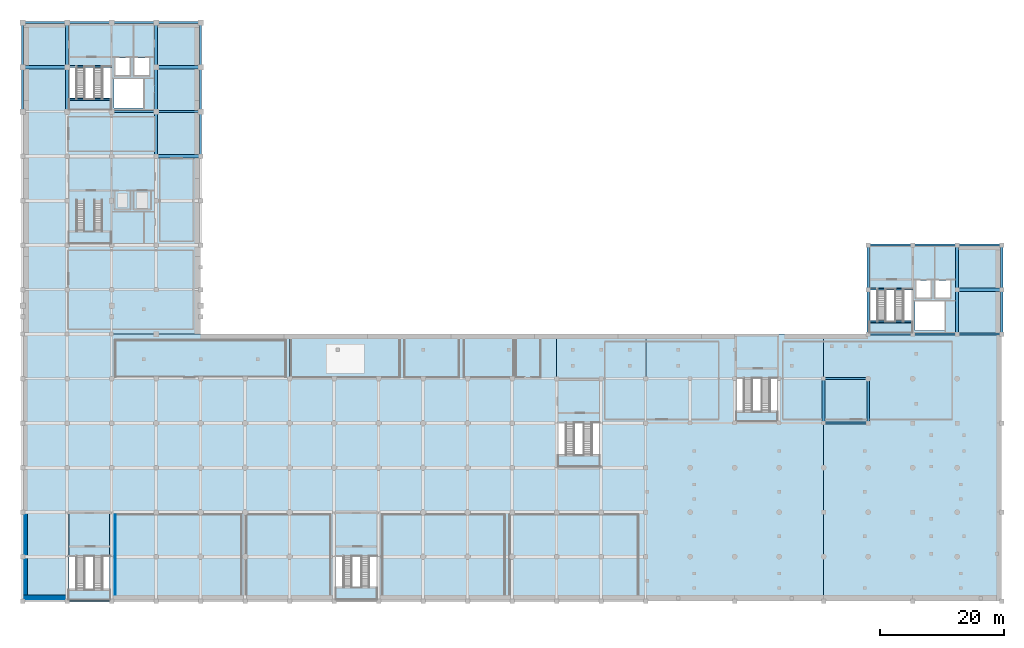
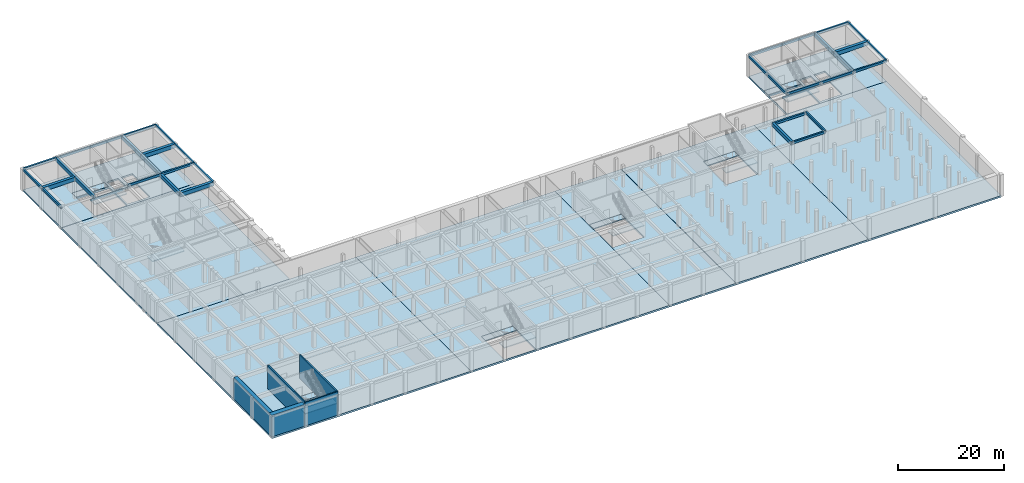
# One storey, part 4 of 15: 40 beams, 21 slabs, 6 walls, 7 elements without a shape of their own.
"""IFC4 building model written with IfcOpenShell, lengths in metres."""

from ifc_helpers import new_model, si_unit, direction, frame, frame_2d, origin, origin_2d, place, context, subcontext, project, spatial, polyline, rectangle, outline, extrude, material, layer, layer_set, material_profile, profile_set, type_object, element, aggregate, save


model = new_model("IFC4")

# Units and contexts
model_context = context("Model", 3, precision=1e-05, world=origin(), true_north=direction((0.0, 1.0)))
body_context = subcontext(model_context, "Body", "Model", "MODEL_VIEW")
ifc_project = project(units=[si_unit("LENGTHUNIT", "METRE"), si_unit("AREAUNIT", "SQUARE_METRE"), si_unit("VOLUMEUNIT", "CUBIC_METRE"), si_unit("PLANEANGLEUNIT", "RADIAN"), si_unit("MASSUNIT", "GRAM", prefix="KILO")], contexts=[model_context])

# Site, building, storey
site_placement = place(None, origin())
site = spatial("IfcSite", under=ifc_project, at=site_placement, CompositionType="ELEMENT")
building_placement = place(site_placement, origin())
building = spatial("IfcBuilding", under=site, at=building_placement, Name="Leyfeld Transit Interchange", CompositionType="ELEMENT")
storey_placement = place(building_placement, frame((0.0, 0.0, -5.39990234375)))
storey = spatial("IfcBuildingStorey", under=building, at=storey_placement, Name="B01", CompositionType="ELEMENT", Elevation=-5.39990234375)

# Beams
ifc_material_1 = material(Name="Concrete C35/45", Category="concrete")
ifc_material_profile_1 = material_profile(ifc_material_1, rectangle(XDim=0.300048828125, YDim=0.39990234375, at=origin_2d()), Name="RC 400x300")
ifc_profile_set_1 = profile_set([ifc_material_profile_1], Name="Concrete C35/45")
beam_type_1 = type_object("IfcBeamType", Name="BM-RC-400x300", PredefinedType="LINTEL", material=ifc_profile_set_1)
for number, where, z_axis, x_axis, name in (
    (1, (7.425048828125, 100.89990234375, -0.2001953125), (1.0, 0.0, 0.0), (0.0, 1.0, 0.0), "Core K1 Floor Landing Corbel B01"),
    (2, (7.425048828125, 95.6298828125, 2.5), (1.0, 0.0, 0.0), (0.0, 1.0, 0.0), "Stair ST-01 B01 Half-Landing Corbel"),
):
    element("IfcBeam", number, at=place(storey_placement, frame(where, z_axis=z_axis, x_axis=x_axis)), inside=storey, type_object=beam_type_1, Name=name, PredefinedType="LINTEL", context=body_context, shape_type="SweptSolid", body=[
        extrude(rectangle(XDim=0.300048828125, YDim=0.39990234375, at=origin_2d()), origin(), (0.0, 0.0, 1.0), 6.974853515625),
    ])
for number, where, z_axis, x_axis, name in (
    (3, (136.949951171875, 64.89990234375, -0.2001953125), (1.0, 0.0, 0.0), (0.0, 1.0, 0.0), "Core K4 Floor Landing Corbel B01"),
    (4, (136.949951171875, 59.6298828125, 2.5), (1.0, 0.0, 0.0), (0.0, 1.0, 0.0), "Stair ST-04 B01 Half-Landing Corbel"),
):
    element("IfcBeam", number, at=place(storey_placement, frame(where, z_axis=z_axis, x_axis=x_axis)), inside=storey, type_object=beam_type_1, Name=name, PredefinedType="LINTEL", context=body_context, shape_type="SweptSolid", body=[
        extrude(rectangle(XDim=0.300048828125, YDim=0.39990234375, at=origin_2d()), origin(), (0.0, 0.0, 1.0), 7.050048828125),
    ])
ifc_material_profile_2 = material_profile(ifc_material_1, rectangle(XDim=0.35009765625, YDim=0.5, at=origin_2d()), Name="RC 500x350")
ifc_profile_set_2 = profile_set([ifc_material_profile_2], Name="Concrete C35/45")
beam_type_2 = type_object("IfcBeamType", Name="BM-RC-500x350", PredefinedType="SPANDREL", material=ifc_profile_set_2)
for number, where, z_axis, x_axis, name in (
    (5, (28.800048828125, 86.39990234375, 4.75), (0.0, 1.0, 0.0), (-1.0, 0.0, 0.0), "Beam BM-B01-0288_0864-0288_0936"),
    (6, (14.39990234375, 93.60009765625, 4.75), (1.0, 0.0, 0.0), (0.0, 1.0, 0.0), "Beam BM-B01-0144_0936-0216_0936"),
):
    element("IfcBeam", number, at=place(storey_placement, frame(where, z_axis=z_axis, x_axis=x_axis)), inside=storey, type_object=beam_type_2, Name=name, PredefinedType="SPANDREL", context=body_context, shape_type="SweptSolid", body=[
        extrude(rectangle(XDim=0.35009765625, YDim=0.5, at=origin_2d()), origin(), (0.0, 0.0, 1.0), 7.2001953125),
    ])
for number, where, z_axis, x_axis, name in (
    (7, (21.60009765625, 93.60009765625, 4.75), (1.0, 0.0, 0.0), (0.0, 1.0, 0.0), "Beam BM-B01-0216_0936-0288_0936"),
    (8, (136.800048828125, 57.60009765625, 4.699951171875), (0.0, 1.0, 0.0), (-1.0, 0.0, 0.0), "Beam BM-B01-1368_0576-1368_0648"),
    (9, (136.800048828125, 64.800048828125, 4.699951171875), (0.0, 1.0, 0.0), (-1.0, 0.0, 0.0), "Beam BM-B01-1368_0648-1368_0720"),
    (10, (158.39990234375, 57.60009765625, 4.75), (0.0, 1.0, 0.0), (-1.0, 0.0, 0.0), "Beam BM-B01-1584_0576-1584_0648"),
    (11, (158.39990234375, 64.800048828125, 4.75), (0.0, 1.0, 0.0), (-1.0, 0.0, 0.0), "Beam BM-B01-1584_0648-1584_0720"),
    (12, (136.800048828125, 57.60009765625, 4.75), (1.0, 0.0, 0.0), (0.0, 1.0, 0.0), "Beam BM-B01-1368_0576-1440_0576"),
    (13, (144.0, 57.60009765625, 4.75), (1.0, 0.0, 0.0), (0.0, 1.0, 0.0), "Beam BM-B01-1440_0576-1512_0576"),
    (14, (151.199951171875, 57.60009765625, 4.75), (1.0, 0.0, 0.0), (0.0, 1.0, 0.0), "Beam BM-B01-1512_0576-1584_0576"),
    (15, (136.800048828125, 72.0, 4.75), (1.0, 0.0, 0.0), (0.0, 1.0, 0.0), "Beam BM-B01-1368_0720-1440_0720"),
    (16, (144.0, 72.0, 4.75), (1.0, 0.0, 0.0), (0.0, 1.0, 0.0), "Beam BM-B01-1440_0720-1512_0720"),
    (17, (151.199951171875, 72.0, 4.75), (1.0, 0.0, 0.0), (0.0, 1.0, 0.0), "Beam BM-B01-1512_0720-1584_0720"),
    (18, (0.0, 93.60009765625, 4.699951171875), (0.0, 1.0, 0.0), (-1.0, 0.0, 0.0), "Beam BM-B01-0000_0936-0000_1008"),
    (19, (0.0, 100.800048828125, 4.699951171875), (0.0, 1.0, 0.0), (-1.0, 0.0, 0.0), "Beam BM-B01-0000_1008-0000_1080"),
    (20, (28.800048828125, 93.60009765625, 4.75), (0.0, 1.0, 0.0), (-1.0, 0.0, 0.0), "Beam BM-B01-0288_0936-0288_1008"),
    (21, (28.800048828125, 100.800048828125, 4.75), (0.0, 1.0, 0.0), (-1.0, 0.0, 0.0), "Beam BM-B01-0288_1008-0288_1080"),
    (22, (0.0, 108.0, 4.75), (1.0, 0.0, 0.0), (0.0, 1.0, 0.0), "Beam BM-B01-0000_1080-0072_1080"),
    (23, (7.199951171875, 108.0, 4.75), (1.0, 0.0, 0.0), (0.0, 1.0, 0.0), "Beam BM-B01-0072_1080-0144_1080"),
):
    element("IfcBeam", number, at=place(storey_placement, frame(where, z_axis=z_axis, x_axis=x_axis)), inside=storey, type_object=beam_type_2, Name=name, PredefinedType="SPANDREL", context=body_context, shape_type="SweptSolid", body=[
        extrude(rectangle(XDim=0.35009765625, YDim=0.5, at=origin_2d()), origin(), (0.0, 0.0, 1.0), 7.199951171875),
    ])
beam_1_placement = place(storey_placement, frame((14.39990234375, 108.0, 4.75), z_axis=(1.0, 0.0, 0.0), x_axis=(0.0, 1.0, 0.0)))
element("IfcBeam", 24, at=beam_1_placement, inside=storey, type_object=beam_type_2, Name="Beam BM-B01-0144_1080-0216_1080", PredefinedType="SPANDREL", context=body_context, shape_type="SweptSolid", body=[
    extrude(rectangle(XDim=0.35009765625, YDim=0.5, at=origin_2d()), origin(), (0.0, 0.0, 1.0), 7.2001953125),
])
for number, where, z_axis, x_axis, name in (
    (25, (21.60009765625, 108.0, 4.75), (1.0, 0.0, 0.0), (0.0, 1.0, 0.0), "Beam BM-B01-0216_1080-0288_1080"),
    (26, (136.800048828125, 43.199951171875, 4.789794921875), (0.0, 1.0, 0.0), (-1.0, 0.0, 0.0), "Beam BM-B01-1368_0432-1368_0504"),
    (27, (129.60009765625, 43.199951171875, 4.699951171875), (1.0, 0.0, 0.0), (0.0, 1.0, 0.0), "Beam BM-B01-1296_0432-1368_0432"),
    (28, (129.60009765625, 50.39990234375, 4.699951171875), (1.0, 0.0, 0.0), (0.0, 1.0, 0.0), "Beam BM-B01-1296_0504-1368_0504"),
):
    element("IfcBeam", number, at=place(storey_placement, frame(where, z_axis=z_axis, x_axis=x_axis)), inside=storey, type_object=beam_type_2, Name=name, PredefinedType="SPANDREL", context=body_context, shape_type="SweptSolid", body=[
        extrude(rectangle(XDim=0.35009765625, YDim=0.5, at=origin_2d()), origin(), (0.0, 0.0, 1.0), 7.199951171875),
    ])
ifc_material_profile_3 = material_profile(ifc_material_1, rectangle(XDim=0.5, YDim=0.800048828125, at=origin_2d()), Name="RC 800x500")
ifc_profile_set_3 = profile_set([ifc_material_profile_3], Name="Concrete C35/45")
beam_type_3 = type_object("IfcBeamType", Name="BM-RC-800x500", PredefinedType="JOIST", material=ifc_profile_set_3)
beam_2_placement = place(storey_placement, frame((21.60009765625, 86.39990234375, 4.599853515625), z_axis=(0.0, 1.0, 0.0), x_axis=(-1.0, 0.0, 0.0)))
element("IfcBeam", 29, at=beam_2_placement, inside=storey, type_object=beam_type_3, Name="Beam BM-B01-0216_0864-0216_0936", PredefinedType="JOIST", context=body_context, shape_type="SweptSolid", body=[
    extrude(rectangle(XDim=0.5, YDim=0.800048828125, at=origin_2d()), origin(), (0.0, 0.0, 1.0), 7.2001953125),
])
for number, where, z_axis, x_axis, name in (
    (30, (151.199951171875, 57.60009765625, 4.599853515625), (0.0, 1.0, 0.0), (-1.0, 0.0, 0.0), "Beam BM-B01-1512_0576-1512_0648"),
    (31, (151.199951171875, 64.800048828125, 4.599853515625), (0.0, 1.0, 0.0), (-1.0, 0.0, 0.0), "Beam BM-B01-1512_0648-1512_0720"),
    (32, (7.199951171875, 93.60009765625, 4.599853515625), (0.0, 1.0, 0.0), (-1.0, 0.0, 0.0), "Beam BM-B01-0072_0936-0072_1008"),
    (33, (7.199951171875, 100.800048828125, 4.599853515625), (0.0, 1.0, 0.0), (-1.0, 0.0, 0.0), "Beam BM-B01-0072_1008-0072_1080"),
    (34, (21.60009765625, 93.60009765625, 4.599853515625), (0.0, 1.0, 0.0), (-1.0, 0.0, 0.0), "Beam BM-B01-0216_0936-0216_1008"),
    (35, (21.60009765625, 100.800048828125, 4.599853515625), (0.0, 1.0, 0.0), (-1.0, 0.0, 0.0), "Beam BM-B01-0216_1008-0216_1080"),
    (36, (129.60009765625, 43.199951171875, 4.639892578125), (0.0, 1.0, 0.0), (-1.0, 0.0, 0.0), "Beam BM-B01-1296_0432-1296_0504"),
):
    element("IfcBeam", number, at=place(storey_placement, frame(where, z_axis=z_axis, x_axis=x_axis)), inside=storey, type_object=beam_type_3, Name=name, PredefinedType="JOIST", context=body_context, shape_type="SweptSolid", body=[
        extrude(rectangle(XDim=0.5, YDim=0.800048828125, at=origin_2d()), origin(), (0.0, 0.0, 1.0), 7.199951171875),
    ])
ifc_material_profile_4 = material_profile(ifc_material_1, rectangle(XDim=0.60009765625, YDim=0.89990234375, at=origin_2d()), Name="RC 900x600")
ifc_profile_set_4 = profile_set([ifc_material_profile_4], Name="Concrete C35/45")
beam_type_4 = type_object("IfcBeamType", Name="BM-RC-900x600", PredefinedType="JOIST", material=ifc_profile_set_4)
for number, where, z_axis, x_axis, name in (
    (37, (21.60009765625, 86.39990234375, 4.5498046875), (1.0, 0.0, 0.0), (0.0, 1.0, 0.0), "Beam BM-B01-0216_0864-0288_0864"),
    (38, (151.199951171875, 64.800048828125, 4.5498046875), (1.0, 0.0, 0.0), (0.0, 1.0, 0.0), "Beam BM-B01-1512_0648-1584_0648"),
    (39, (0.0, 100.800048828125, 4.5498046875), (1.0, 0.0, 0.0), (0.0, 1.0, 0.0), "Beam BM-B01-0000_1008-0072_1008"),
    (40, (21.60009765625, 100.800048828125, 4.5498046875), (1.0, 0.0, 0.0), (0.0, 1.0, 0.0), "Beam BM-B01-0216_1008-0288_1008"),
):
    element("IfcBeam", number, at=place(storey_placement, frame(where, z_axis=z_axis, x_axis=x_axis)), inside=storey, type_object=beam_type_4, Name=name, PredefinedType="JOIST", context=body_context, shape_type="SweptSolid", body=[
        extrude(rectangle(XDim=0.60009765625, YDim=0.89990234375, at=origin_2d()), origin(), (0.0, 0.0, 1.0), 7.199951171875),
    ])

# Slab
ifc_material_2 = material(Name="Precast concrete C40/50", Category="concrete")
ifc_layer_1 = layer(ifc_material_2, 0.199951171875, Name="Precast concrete C40/50")
ifc_layer_set_1 = layer_set([ifc_layer_1], Name="Precast concrete C40/50")
slab_type_1 = type_object("IfcSlabType", Name="SLB-LND-200", PredefinedType="LANDING", material=ifc_layer_set_1)
slab_1_placement = place(storey_placement, frame((0.0, 0.0, -0.2001953125)))
element("IfcSlab", 41, at=slab_1_placement, inside=storey, type_object=slab_type_1, Name="Core K1 Stair Floor Landing B01", PredefinedType="LANDING", context=body_context, shape_type="SweptSolid", body=[
    extrude(outline(polyline([(7.429931640625, 100.89990234375), (14.39501953125, 100.89990234375), (14.39501953125, 102.445068359375), (7.429931640625, 102.445068359375), (7.429931640625, 100.89990234375)])), origin(), (0.0, 0.0, 1.0), 0.2001953125),
])

# Stair, slab
stair_type_1 = type_object("IfcStairType", Name="STR-HT-150x310", PredefinedType="HALF_TURN_STAIR", material=ifc_material_2)
stair_1_placement = place(storey_placement, origin())
stair_1 = element("IfcStair", 42, at=stair_1_placement, inside=storey, type_object=stair_type_1, Name="Exit Stair ST-01 (B01 to L00)", PredefinedType="HALF_TURN_STAIR")
slab_2_placement = place(storey_placement, frame((0.0, 0.0, 2.5)))
slab_2 = element("IfcSlab", 43, at=slab_2_placement, type_object=slab_type_1, Name="Stair ST-01 B01 Half Landing", PredefinedType="LANDING", context=body_context, shape_type="SweptSolid", body=[
    extrude(outline(polyline([(7.429931640625, 93.830078125), (14.39501953125, 93.830078125), (14.39501953125, 95.6298828125), (7.429931640625, 95.6298828125), (7.429931640625, 93.830078125)])), origin(), (0.0, 0.0, 1.0), 0.199951171875),
])
aggregate(stair_1, [slab_2])

stair_type_2 = type_object("IfcStairType", Name="STR-HT-150x300", PredefinedType="HALF_TURN_STAIR", material=ifc_material_2)
stair_2_placement = place(storey_placement, origin())
stair_2 = element("IfcStair", 44, at=stair_2_placement, inside=storey, type_object=stair_type_2, Name="Exit Stair ST-03 (B01 to L00)", PredefinedType="HALF_TURN_STAIR")
slab_3_placement = place(storey_placement, frame((0.0, 0.0, 2.5)))
slab_3 = element("IfcSlab", 45, at=slab_3_placement, type_object=slab_type_1, Name="Stair ST-03 B01 Half Landing", PredefinedType="LANDING", context=body_context, shape_type="SweptSolid", body=[
    extrude(outline(polyline([(7.3798828125, 72.179931640625), (14.39501953125, 72.179931640625), (14.39501953125, 74.199951171875), (7.3798828125, 74.199951171875), (7.3798828125, 72.179931640625)])), origin(), (0.0, 0.0, 1.0), 0.199951171875),
])
aggregate(stair_2, [slab_3])

# Slab
slab_4_placement = place(storey_placement, frame((0.0, 0.0, -0.2001953125)))
element("IfcSlab", 46, at=slab_4_placement, inside=storey, type_object=slab_type_1, Name="Core K4 Stair Floor Landing B01", PredefinedType="LANDING", context=body_context, shape_type="SweptSolid", body=[
    extrude(outline(polyline([(136.955078125, 64.89990234375), (143.9951171875, 64.89990234375), (143.9951171875, 66.445068359375), (136.955078125, 66.445068359375), (136.955078125, 64.89990234375)])), origin(), (0.0, 0.0, 1.0), 0.2001953125),
])

# Stair, slab
stair_3_placement = place(storey_placement, origin())
stair_3 = element("IfcStair", 47, at=stair_3_placement, inside=storey, type_object=stair_type_1, Name="Exit Stair ST-04 (B01 to L00)", PredefinedType="HALF_TURN_STAIR")
slab_5_placement = place(storey_placement, frame((0.0, 0.0, 2.5)))
slab_5 = element("IfcSlab", 48, at=slab_5_placement, type_object=slab_type_1, Name="Stair ST-04 B01 Half Landing", PredefinedType="LANDING", context=body_context, shape_type="SweptSolid", body=[
    extrude(outline(polyline([(136.955078125, 57.7548828125), (143.9951171875, 57.7548828125), (143.9951171875, 59.6298828125), (136.955078125, 59.6298828125), (136.955078125, 57.7548828125)])), origin(), (0.0, 0.0, 1.0), 0.199951171875),
])
aggregate(stair_3, [slab_5])

# Slab
slab_6_placement = place(storey_placement, frame((0.0, 0.0, -0.2001953125)))
element("IfcSlab", 49, at=slab_6_placement, inside=storey, type_object=slab_type_1, Name="Core K6 Stair Floor Landing B01", PredefinedType="LANDING", context=body_context, shape_type="SweptSolid", body=[
    extrude(outline(polyline([(7.344970703125, 21.699951171875), (14.2548828125, 21.699951171875), (14.2548828125, 23.2451171875), (7.344970703125, 23.2451171875), (7.344970703125, 21.699951171875)])), origin(), (0.0, 0.0, 1.0), 0.2001953125),
])

# Stair, slab
stair_type_3 = type_object("IfcStairType", Name="STR-HT-150x320", PredefinedType="HALF_TURN_STAIR", material=ifc_material_2)
stair_4_placement = place(storey_placement, origin())
stair_4 = element("IfcStair", 50, at=stair_4_placement, inside=storey, type_object=stair_type_3, Name="Exit Stair ST-06 (B01 to L00)", PredefinedType="HALF_TURN_STAIR")
slab_7_placement = place(storey_placement, frame((0.0, 0.0, 2.5)))
slab_7 = element("IfcSlab", 51, at=slab_7_placement, type_object=slab_type_1, Name="Stair ST-06 B01 Half Landing", PredefinedType="LANDING", context=body_context, shape_type="SweptSolid", body=[
    extrude(outline(polyline([(7.344970703125, 14.544921875), (14.2548828125, 14.544921875), (14.2548828125, 16.260009765625), (7.344970703125, 16.260009765625), (7.344970703125, 14.544921875)])), origin(), (0.0, 0.0, 1.0), 0.199951171875),
])
aggregate(stair_4, [slab_7])

# Slab
slab_8_placement = place(storey_placement, frame((0.0, 0.0, -0.2001953125)))
element("IfcSlab", 52, at=slab_8_placement, inside=storey, type_object=slab_type_1, Name="Core K7 Stair Floor Landing B01", PredefinedType="LANDING", context=body_context, shape_type="SweptSolid", body=[
    extrude(outline(polyline([(86.56494140625, 43.300048828125), (93.43505859375, 43.300048828125), (93.43505859375, 44.844970703125), (86.56494140625, 44.844970703125), (86.56494140625, 43.300048828125)])), origin(), (0.0, 0.0, 1.0), 0.2001953125),
])

# Stair, slab
stair_5_placement = place(storey_placement, origin())
stair_5 = element("IfcStair", 53, at=stair_5_placement, inside=storey, type_object=stair_type_1, Name="Exit Stair ST-07 (B01 to L00)", PredefinedType="HALF_TURN_STAIR")
slab_9_placement = place(storey_placement, frame((0.0, 0.0, 2.5)))
slab_9 = element("IfcSlab", 54, at=slab_9_placement, type_object=slab_type_1, Name="Stair ST-07 B01 Half Landing", PredefinedType="LANDING", context=body_context, shape_type="SweptSolid", body=[
    extrude(outline(polyline([(86.56494140625, 36.1650390625), (93.43505859375, 36.1650390625), (93.43505859375, 38.030029296875), (86.56494140625, 38.030029296875), (86.56494140625, 36.1650390625)])), origin(), (0.0, 0.0, 1.0), 0.199951171875),
])
aggregate(stair_5, [slab_9])

# Slab
slab_10_placement = place(storey_placement, frame((0.0, 0.0, -0.2001953125)))
element("IfcSlab", 55, at=slab_10_placement, inside=storey, type_object=slab_type_1, Name="Core K8 Stair Floor Landing B01", PredefinedType="LANDING", context=body_context, shape_type="SweptSolid", body=[
    extrude(outline(polyline([(50.570068359375, 21.699951171875), (57.429931640625, 21.699951171875), (57.429931640625, 23.2451171875), (50.570068359375, 23.2451171875), (50.570068359375, 21.699951171875)])), origin(), (0.0, 0.0, 1.0), 0.2001953125),
])

# Stair, slab
stair_6_placement = place(storey_placement, origin())
stair_6 = element("IfcStair", 56, at=stair_6_placement, inside=storey, type_object=stair_type_2, Name="Exit Stair ST-08 (B01 to L00)", PredefinedType="HALF_TURN_STAIR")
slab_11_placement = place(storey_placement, frame((0.0, 0.0, 2.5)))
slab_11 = element("IfcSlab", 57, at=slab_11_placement, type_object=slab_type_1, Name="Stair ST-08 B01 Half Landing", PredefinedType="LANDING", context=body_context, shape_type="SweptSolid", body=[
    extrude(outline(polyline([(50.570068359375, 14.570068359375), (57.429931640625, 14.570068359375), (57.429931640625, 16.60009765625), (50.570068359375, 16.60009765625), (50.570068359375, 14.570068359375)])), origin(), (0.0, 0.0, 1.0), 0.199951171875),
])
aggregate(stair_6, [slab_11])

# Slab
slab_12_placement = place(storey_placement, frame((0.0, 0.0, -0.2001953125)))
element("IfcSlab", 58, at=slab_12_placement, inside=storey, type_object=slab_type_1, Name="Core K9 Stair Floor Landing B01", PredefinedType="LANDING", context=body_context, shape_type="SweptSolid", body=[
    extrude(outline(polyline([(115.389892578125, 50.5), (122.2099609375, 50.5), (122.2099609375, 52.044921875), (115.389892578125, 52.044921875), (115.389892578125, 50.5)])), origin(), (0.0, 0.0, 1.0), 0.2001953125),
])

# Stair, slab
stair_7_placement = place(storey_placement, origin())
stair_7 = element("IfcStair", 59, at=stair_7_placement, inside=storey, type_object=stair_type_3, Name="Exit Stair ST-09 (B01 to L00)", PredefinedType="HALF_TURN_STAIR")
slab_13_placement = place(storey_placement, frame((0.0, 0.0, 2.5)))
slab_13 = element("IfcSlab", 60, at=slab_13_placement, type_object=slab_type_1, Name="Stair ST-09 B01 Half Landing", PredefinedType="LANDING", context=body_context, shape_type="SweptSolid", body=[
    extrude(outline(polyline([(115.389892578125, 43.389892578125), (122.2099609375, 43.389892578125), (122.2099609375, 45.06005859375), (115.389892578125, 45.06005859375), (115.389892578125, 43.389892578125)])), origin(), (0.0, 0.0, 1.0), 0.199951171875),
])
aggregate(stair_7, [slab_13])

# Slabs
ifc_layer_2 = layer(ifc_material_1, 0.3798828125, Name="Concrete C35/45")
ifc_layer_set_2 = layer_set([ifc_layer_2], Name="Concrete C35/45")
slab_type_2 = type_object("IfcSlabType", Name="SLB-MET-380", PredefinedType="FLOOR", material=ifc_layer_set_2)
slab_14_placement = place(storey_placement, frame((0.0, 0.0, -0.380126953125)))
element("IfcSlab", 61, at=slab_14_placement, inside=storey, type_object=slab_type_2, Name="Slab M_WEST B01 B1", PredefinedType="FLOOR", context=body_context, shape_type="SweptSolid", body=[
    extrude(outline(polyline([(28.800048828125, 57.60009765625), (28.800048828125, 93.574951171875), (0.0, 93.574951171875), (0.0, 57.60009765625), (28.800048828125, 57.60009765625)])), origin(), (0.0, 0.0, 1.0), 0.380126953125),
])
slab_15_placement = place(storey_placement, frame((0.0, 0.0, -0.380126953125)))
element("IfcSlab", 62, at=slab_15_placement, inside=storey, type_object=slab_type_2, Name="Slab M_WEST B01 B1", PredefinedType="FLOOR", context=body_context, shape_type="SweptSolid", body=[
    extrude(outline(polyline([(0.0, 93.625), (28.800048828125, 93.625), (28.800048828125, 108.0), (0.0, 108.0), (0.0, 93.625)]), holes=[polyline([(14.39990234375, 93.824951171875), (7.425048828125, 93.824951171875), (7.425048828125, 102.449951171875), (14.39990234375, 102.449951171875), (14.39990234375, 93.824951171875)]), polyline([(14.75, 94.14990234375), (14.75, 98.919921875), (19.550048828125, 98.919921875), (19.550048828125, 94.14990234375), (14.75, 94.14990234375)]), polyline([(14.949951171875, 102.300048828125), (17.35009765625, 102.300048828125), (17.35009765625, 99.449951171875), (14.949951171875, 99.449951171875), (14.949951171875, 102.300048828125)]), polyline([(20.449951171875, 102.300048828125), (20.449951171875, 99.449951171875), (18.050048828125, 99.449951171875), (18.050048828125, 102.300048828125), (20.449951171875, 102.300048828125)])]), origin(), (0.0, 0.0, 1.0), 0.380126953125),
])
slab_16_placement = place(storey_placement, frame((0.0, 0.0, -0.380126953125)))
element("IfcSlab", 63, at=slab_16_placement, inside=storey, type_object=slab_type_2, Name="Slab M_EAST B01 B1", PredefinedType="FLOOR", context=body_context, shape_type="SweptSolid", body=[
    extrude(outline(polyline([(158.39990234375, 72.0), (136.800048828125, 72.0), (136.800048828125, 57.60009765625), (158.39990234375, 57.60009765625), (158.39990234375, 72.0)]), holes=[polyline([(136.949951171875, 57.75), (136.949951171875, 66.449951171875), (144.0, 66.449951171875), (144.0, 57.75), (136.949951171875, 57.75)]), polyline([(144.35009765625, 62.919921875), (149.14990234375, 62.919921875), (149.14990234375, 58.14990234375), (144.35009765625, 58.14990234375), (144.35009765625, 62.919921875)]), polyline([(146.949951171875, 66.300048828125), (146.949951171875, 63.449951171875), (144.550048828125, 63.449951171875), (144.550048828125, 66.300048828125), (146.949951171875, 66.300048828125)]), polyline([(150.050048828125, 63.449951171875), (147.64990234375, 63.449951171875), (147.64990234375, 66.300048828125), (150.050048828125, 66.300048828125), (150.050048828125, 63.449951171875)])]), origin(), (0.0, 0.0, 1.0), 0.380126953125),
])
ifc_layer_3 = layer(ifc_material_1, 0.39990234375, Name="Concrete C35/45")
ifc_layer_set_3 = layer_set([ifc_layer_3], Name="Concrete C35/45")
slab_type_3 = type_object("IfcSlabType", Name="SLB-MET-400", PredefinedType="FLOOR", material=ifc_layer_set_3)
slab_17_placement = place(storey_placement, frame((0.0, 0.0, -0.400146484375)))
element("IfcSlab", 64, at=slab_17_placement, inside=storey, type_object=slab_type_3, Name="Slab M_MAIN B01 B1", PredefinedType="FLOOR", context=body_context, shape_type="SweptSolid", body=[
    extrude(outline(polyline([(43.199951171875, 57.60009765625), (0.0, 57.60009765625), (0.0, 14.39990234375), (43.199951171875, 14.39990234375), (43.199951171875, 57.60009765625)]), holes=[polyline([(14.260009765625, 14.5400390625), (7.340087890625, 14.5400390625), (7.340087890625, 23.25), (14.260009765625, 23.25), (14.260009765625, 14.5400390625)])]), origin(), (0.0, 0.0, 1.0), 0.400146484375),
])
slab_18_placement = place(storey_placement, frame((0.0, 0.0, -0.400146484375)))
element("IfcSlab", 65, at=slab_18_placement, inside=storey, type_object=slab_type_3, Name="Slab M_MAIN B01 B2", PredefinedType="FLOOR", context=body_context, shape_type="SweptSolid", body=[
    extrude(outline(polyline([(86.39990234375, 57.60009765625), (43.199951171875, 57.60009765625), (43.199951171875, 14.39990234375), (86.39990234375, 14.39990234375), (86.39990234375, 57.60009765625)]), holes=[polyline([(57.43505859375, 14.56494140625), (50.56494140625, 14.56494140625), (50.56494140625, 23.25), (57.43505859375, 23.25), (57.43505859375, 14.56494140625)])]), origin(), (0.0, 0.0, 1.0), 0.400146484375),
])
slab_19_placement = place(storey_placement, frame((0.0, 0.0, -0.400146484375)))
element("IfcSlab", 66, at=slab_19_placement, inside=storey, type_object=slab_type_3, Name="Slab M_MAIN B01 B3", PredefinedType="FLOOR", context=body_context, shape_type="SweptSolid", body=[
    extrude(outline(polyline([(86.39990234375, 14.39990234375), (100.77490234375, 14.39990234375), (100.77490234375, 57.60009765625), (86.39990234375, 57.60009765625), (86.39990234375, 14.39990234375)]), holes=[polyline([(86.56005859375, 44.85009765625), (93.43994140625, 44.85009765625), (93.43994140625, 36.159912109375), (86.56005859375, 36.159912109375), (86.56005859375, 44.85009765625)])]), origin(), (0.0, 0.0, 1.0), 0.400146484375),
])
slab_20_placement = place(storey_placement, frame((0.0, 0.0, -0.400146484375)))
element("IfcSlab", 67, at=slab_20_placement, inside=storey, type_object=slab_type_3, Name="Slab M_MAIN B01 B3", PredefinedType="FLOOR", context=body_context, shape_type="SweptSolid", body=[
    extrude(outline(polyline([(100.824951171875, 57.60009765625), (100.824951171875, 14.39990234375), (129.60009765625, 14.39990234375), (129.60009765625, 57.60009765625), (100.824951171875, 57.60009765625)]), holes=[polyline([(122.215087890625, 52.050048828125), (122.215087890625, 43.385009765625), (115.385009765625, 43.385009765625), (115.385009765625, 52.050048828125), (122.215087890625, 52.050048828125)])]), origin(), (0.0, 0.0, 1.0), 0.400146484375),
])
slab_21_placement = place(storey_placement, frame((0.0, 0.0, -0.400146484375)))
element("IfcSlab", 68, at=slab_21_placement, inside=storey, type_object=slab_type_3, Name="Slab M_MAIN B01 B4", PredefinedType="FLOOR", context=body_context, shape_type="SweptSolid", body=[
    extrude(outline(polyline([(129.60009765625, 57.60009765625), (129.60009765625, 14.39990234375), (158.39990234375, 14.39990234375), (158.39990234375, 57.60009765625), (129.60009765625, 57.60009765625)])), origin(), (0.0, 0.0, 1.0), 0.400146484375),
])

# Walls
ifc_layer_4 = layer(ifc_material_1, 1.0, Name="Concrete C35/45")
ifc_layer_set_4 = layer_set([ifc_layer_4], Name="Concrete C35/45")
wall_type_1 = type_object("IfcWallType", Name="WL-DW-1000", PredefinedType="USERDEFINED", material=ifc_layer_set_4)
wall_1_placement = place(storey_placement, frame((7.14990234375, 14.89990234375, 0.0), z_axis=(0.0, 0.0, 1.0), x_axis=(-1.0, 0.0, 0.0)))
element("IfcWall", 69, at=wall_1_placement, inside=storey, type_object=wall_type_1, Name="Metro Diaphragm Wall DW-B01-S01-P11", ObjectType="RETAININGWALL", PredefinedType="USERDEFINED", context=body_context, shape_type="SweptSolid", body=[
    extrude(rectangle(XDim=7.14990234375, YDim=1.0, at=frame_2d((3.574951171875, 0.0))), origin(), (0.0, 0.0, 1.0), 4.949951171875),
])
ifc_layer_5 = layer(ifc_material_1, 0.800048828125, Name="Concrete C35/45")
ifc_layer_set_5 = layer_set([ifc_layer_5], Name="Concrete C35/45")
wall_type_2 = type_object("IfcWallType", Name="WL-DW-800", PredefinedType="USERDEFINED", material=ifc_layer_set_5)
wall_2_placement = place(storey_placement, frame((0.39990234375, 14.39990234375, 0.0), z_axis=(0.0, 0.0, 1.0), x_axis=(0.0, 1.0, 0.0)))
element("IfcWall", 70, at=wall_2_placement, inside=storey, type_object=wall_type_2, Name="Metro Diaphragm Wall DW-B01-S02-P01", ObjectType="RETAININGWALL", PredefinedType="USERDEFINED", context=body_context, shape_type="SweptSolid", body=[
    extrude(rectangle(XDim=14.400146484375, YDim=0.800048828125, at=frame_2d((7.2001953125, 0.0))), origin(), (0.0, 0.0, 1.0), 4.949951171875),
])
ifc_material_3 = material(Name="Gypsum plasterboard acoustic stud", Category="gypsum")
ifc_layer_6 = layer(ifc_material_3, 0.135009765625, Name="Gypsum plasterboard acoustic stud")
ifc_layer_set_6 = layer_set([ifc_layer_6], Name="Gypsum plasterboard acoustic stud")
wall_type_3 = type_object("IfcWallType", Name="WL-INT-RET-135", PredefinedType="PARTITIONING", material=ifc_layer_set_6)
wall_3_placement = place(storey_placement, frame((15.0, 15.39990234375, 0.0), z_axis=(0.0, 0.0, 1.0), x_axis=(0.0, 1.0, 0.0)))
element("IfcWall", 71, at=wall_3_placement, inside=storey, type_object=wall_type_3, Name="Interior Partition B01-TIC-01 W", PredefinedType="PARTITIONING", context=body_context, shape_type="SweptSolid", body=[
    extrude(rectangle(XDim=13.0, YDim=0.135009765625, at=frame_2d((6.5, 0.0))), origin(), (0.0, 0.0, 1.0), 4.0498046875),
])
ifc_layer_7 = layer(ifc_material_1, 0.280029296875, Name="Concrete C35/45")
ifc_layer_set_7 = layer_set([ifc_layer_7], Name="Concrete C35/45")
wall_type_4 = type_object("IfcWallType", Name="WL-SH-VAR-280", PredefinedType="SHEAR", material=ifc_layer_set_7)
wall_4_placement = place(storey_placement, frame((14.260009765625, 28.52001953125, 0.0), z_axis=(0.0, 0.0, 1.0), x_axis=(0.0, -1.0, 0.0)))
element("IfcWall", 72, at=wall_4_placement, inside=storey, type_object=wall_type_4, Name="Core K6 Shear Wall E B01", PredefinedType="SHEAR", context=body_context, shape_type="SweptSolid", body=[
    extrude(rectangle(XDim=13.840087890625, YDim=0.280029296875, at=frame_2d((6.919921875, 0.0))), origin(), (0.0, 0.0, 1.0), 5.39990234375),
])
wall_5_placement = place(storey_placement, frame((14.39990234375, 14.5400390625, 0.0), z_axis=(0.0, 0.0, 1.0), x_axis=(-1.0, 0.0, 0.0)))
element("IfcWall", 73, at=wall_5_placement, inside=storey, type_object=wall_type_4, Name="Core K6 Shear Wall S B01", PredefinedType="SHEAR", context=body_context, shape_type="SweptSolid", body=[
    extrude(rectangle(XDim=7.199951171875, YDim=0.280029296875, at=frame_2d((3.60009765625, 0.0))), origin(), (0.0, 0.0, 1.0), 5.39990234375),
])
wall_6_placement = place(storey_placement, frame((7.340087890625, 14.679931640625, 0.0), z_axis=(0.0, 0.0, 1.0), x_axis=(0.0, 1.0, 0.0)))
element("IfcWall", 74, at=wall_6_placement, inside=storey, type_object=wall_type_4, Name="Core K6 Shear Wall W B01", PredefinedType="SHEAR", context=body_context, shape_type="SweptSolid", body=[
    extrude(rectangle(XDim=13.840087890625, YDim=0.280029296875, at=frame_2d((6.919921875, 0.0))), origin(), (0.0, 0.0, 1.0), 5.39990234375),
])

save(model, "model.ifc")
